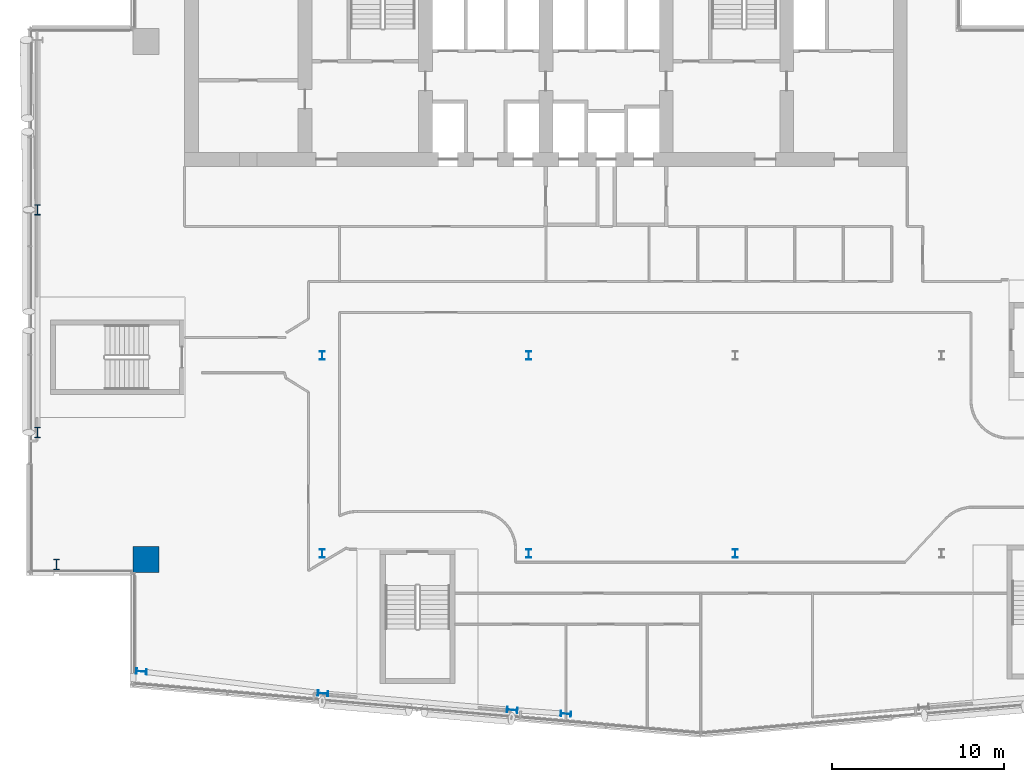
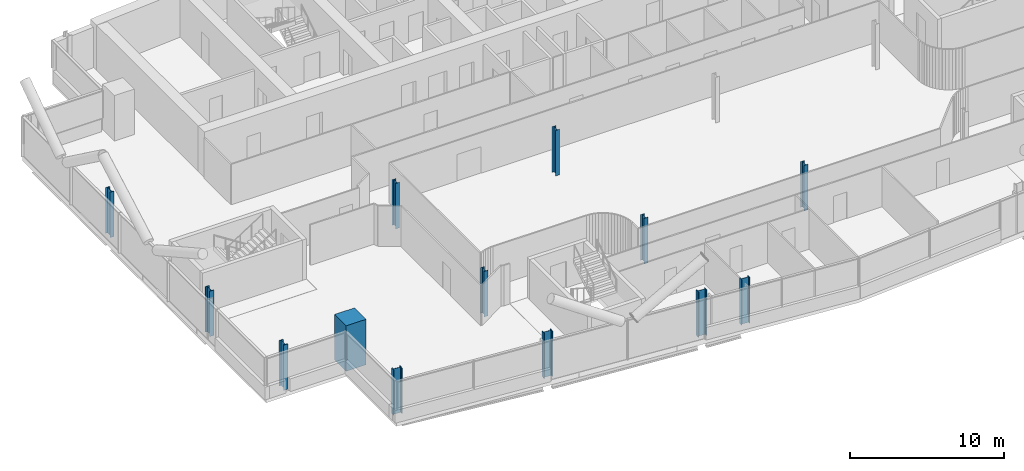
# One storey, part 1 of 27: 13 columns.
"""IFC4 building model written with IfcOpenShell, lengths in metres."""

from ifc_helpers import new_model, si_unit, direction, frame, origin, origin_2d, place, context, subcontext, project, spatial, rectangle, i_section, extrude, material, material_profile, profile_set, type_object, element, save


model = new_model("IFC4")

# Units and contexts
model_context = context("Model", 3, precision=1e-05, world=origin(), true_north=direction((0.0, 1.0)))
body_context = subcontext(model_context, "Body", "Model", "MODEL_VIEW")
ifc_project = project(units=[si_unit("LENGTHUNIT", "METRE"), si_unit("AREAUNIT", "SQUARE_METRE"), si_unit("VOLUMEUNIT", "CUBIC_METRE"), si_unit("PLANEANGLEUNIT", "RADIAN"), si_unit("MASSUNIT", "GRAM", prefix="KILO")], contexts=[model_context])

# Site, building, storey
site_placement = place(None, origin())
site = spatial("IfcSite", under=ifc_project, at=site_placement, CompositionType="ELEMENT")
building_placement = place(site_placement, origin())
building = spatial("IfcBuilding", under=site, at=building_placement, Name="Wharfspan Tower", CompositionType="ELEMENT")
storey_placement = place(building_placement, frame((0.0, 0.0, 159.100098)))
storey = spatial("IfcBuildingStorey", under=building, at=storey_placement, Name="L38", CompositionType="ELEMENT", Elevation=159.100098)

# Columns
ifc_material_1 = material(Name="Steel S355J2", Category="steel")
ifc_material_profile_1 = material_profile(ifc_material_1, i_section(OverallWidth=0.300049, OverallDepth=0.5, WebThickness=0.014404, FlangeThickness=0.028076, FilletRadius=0.0271, at=origin_2d()))
ifc_profile_set_1 = profile_set([ifc_material_profile_1], Name="Steel S355J2")
column_type_1 = type_object("IfcColumnType", Name="Column HEB 500", PredefinedType="COLUMN", material=ifc_profile_set_1)
for number, where, z_axis, x_axis, name in (
    (1, (24.0, 11.5, 0.0), (0.0, 0.0, 1.0), (1.0, 0.0, 0.0), "Interior column I.1.1 L38"),
    (2, (36.0, 11.5, 0.0), (0.0, 0.0, 1.0), (1.0, 0.0, 0.0), "Interior column I.1.2 L38"),
    (3, (48.0, 11.5, 0.0), (0.0, 0.0, 1.0), (1.0, 0.0, 0.0), "Interior column I.1.3 L38"),
    (4, (24.0, 23.0, 0.0), (0.0, 0.0, 1.0), (1.0, 0.0, 0.0), "Interior column I.2.1 L38"),
    (5, (36.0, 23.0, 0.0), (0.0, 0.0, 1.0), (1.0, 0.0, 0.0), "Interior column I.2.2 L38"),
):
    element("IfcColumn", number, at=place(storey_placement, frame(where, z_axis=z_axis, x_axis=x_axis)), inside=storey, type_object=column_type_1, Name=name, PredefinedType="COLUMN", context=body_context, shape_type="SweptSolid", body=[
        extrude(i_section(OverallWidth=0.300049, OverallDepth=0.5, WebThickness=0.014404, FlangeThickness=0.028076, FilletRadius=0.0271, at=origin_2d()), origin(), (0.0, 0.0, 1.0), 3.599854),
    ])
ifc_material_profile_2 = material_profile(ifc_material_1, i_section(OverallWidth=0.304932, OverallDepth=0.620117, WebThickness=0.020996, FlangeThickness=0.040039, FilletRadius=0.0271, at=origin_2d()))
ifc_profile_set_2 = profile_set([ifc_material_profile_2], Name="Steel S355J2")
column_type_2 = type_object("IfcColumnType", Name="Column HEM 600", PredefinedType="COLUMN", material=ifc_profile_set_2)
for number, where, z_axis, x_axis, name in (
    (6, (13.490723, 4.637451, 0.0), (0.0, 0.0, 1.0), (-0.087156, -0.996198, 0.0), "Perimeter column PS1.1 L38"),
    (7, (24.039307, 3.361084, 0.0), (0.0, 0.0, 1.0), (-0.087156, -0.996198, 0.0), "Perimeter column PS1.2 L38"),
    (8, (35.039307, 2.398682, 0.0), (0.0, 0.0, 1.0), (-0.087156, -0.996198, 0.0), "Perimeter column PS1.3 L38"),
    (9, (38.161133, 2.174072, 0.0), (0.0, 0.0, 1.0), (-0.087156, -0.996198, 0.0), "Perimeter column PS1.4 L38"),
    (10, (7.449951, 31.466553, 0.0), (0.0, 0.0, 1.0), (-1.0, 0.0, 0.0), "Perimeter column PW.1 L38"),
    (11, (7.449951, 18.533447, 0.0), (0.0, 0.0, 1.0), (-1.0, 0.0, 0.0), "Perimeter column PW.2 L38"),
    (12, (8.560791, 10.854004, 0.0), (0.0, 0.0, 1.0), (-1.0, 0.0, 0.0), "Perimeter column PW.3 L38"),
):
    element("IfcColumn", number, at=place(storey_placement, frame(where, z_axis=z_axis, x_axis=x_axis)), inside=storey, type_object=column_type_2, Name=name, PredefinedType="COLUMN", context=body_context, shape_type="SweptSolid", body=[
        extrude(i_section(OverallWidth=0.304932, OverallDepth=0.620117, WebThickness=0.020996, FlangeThickness=0.040039, FilletRadius=0.0271, at=origin_2d()), origin(), (0.0, 0.0, 1.0), 3.599854),
    ])
ifc_material_2 = material(Name="Concrete C60/75", Category="concrete")
ifc_material_profile_3 = material_profile(ifc_material_2, rectangle(XDim=1.5, YDim=1.5, at=origin_2d()))
ifc_profile_set_3 = profile_set([ifc_material_profile_3], Name="Concrete C60/75")
column_type_3 = type_object("IfcColumnType", Name="Mega column 1500 C60/75", PredefinedType="COLUMN", material=ifc_profile_set_3)
column_placement = place(storey_placement, frame((13.75, 11.149902, 0.0), z_axis=(0.0, 0.0, 1.0), x_axis=(1.0, 0.0, 0.0)))
element("IfcColumn", 13, at=column_placement, inside=storey, type_object=column_type_3, Name="Mega column MC1 L38", PredefinedType="COLUMN", context=body_context, shape_type="SweptSolid", body=[
    extrude(rectangle(XDim=1.5, YDim=1.5, at=origin_2d()), origin(), (0.0, 0.0, 1.0), 3.599854),
])

save(model, "model.ifc")
